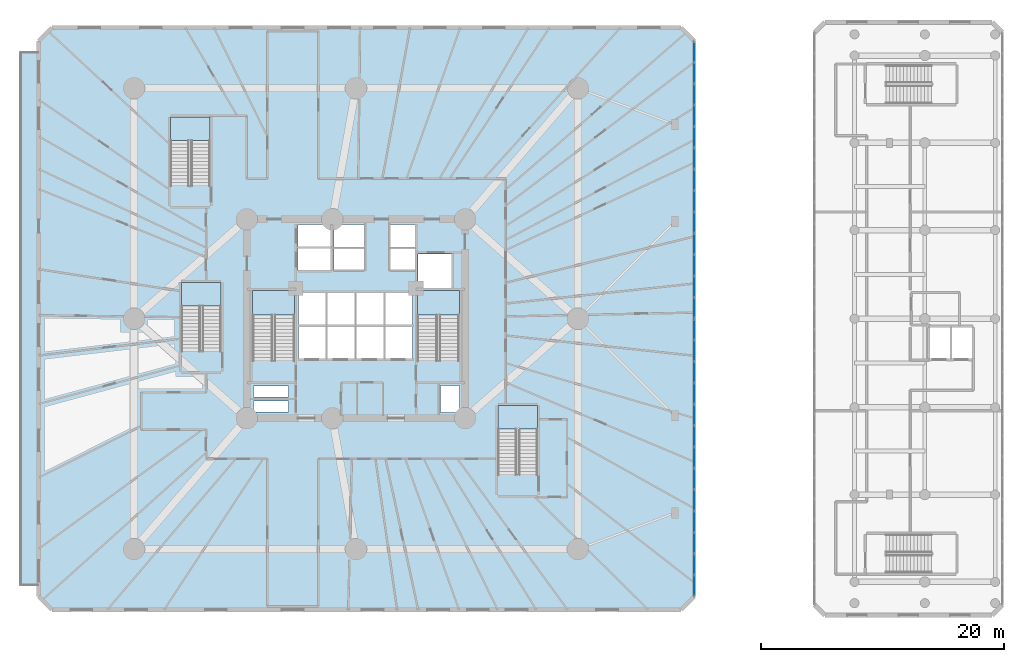
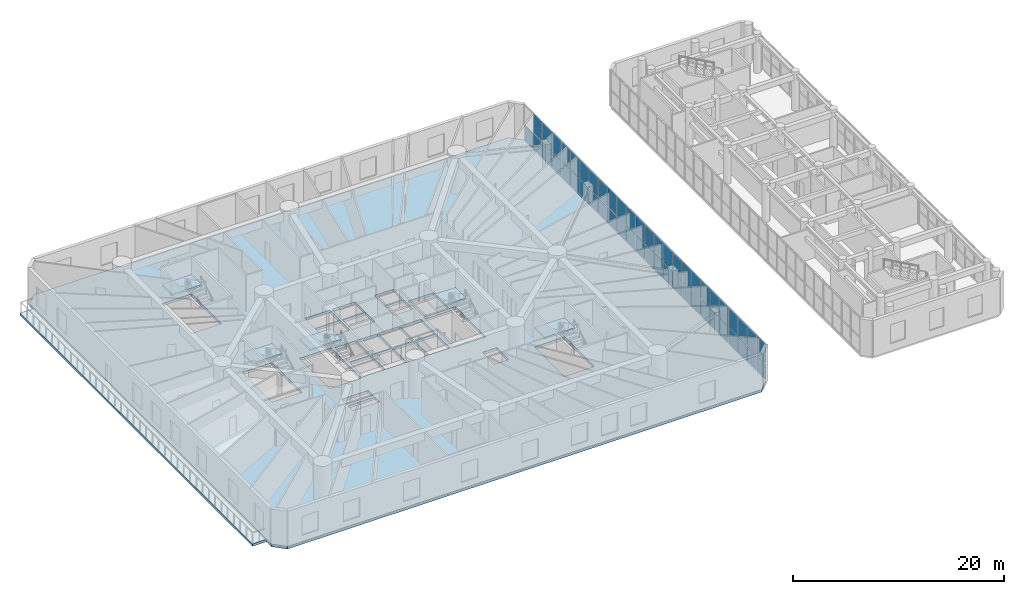
# One storey, part 10 of 26: 51 plates, 7 slabs, 7 elements without a shape of their own.
"""IFC4 building model written with IfcOpenShell, lengths in metres."""

from ifc_helpers import new_model, si_unit, direction, frame, origin, origin_with_axes, origin_2d, place, context, subcontext, project, spatial, polyline, rectangle, outline, extrude, source, transform, mapped, material, layer, layer_set, type_object, element, aggregate, save


model = new_model("IFC4")

# Units and contexts
model_context = context("Model", 3, precision=1e-05, world=origin(), true_north=direction((0.0, 1.0)))
body_context = subcontext(model_context, "Body", "Model", "MODEL_VIEW")
ifc_project = project(units=[si_unit("LENGTHUNIT", "METRE"), si_unit("AREAUNIT", "SQUARE_METRE"), si_unit("VOLUMEUNIT", "CUBIC_METRE"), si_unit("PLANEANGLEUNIT", "RADIAN"), si_unit("MASSUNIT", "GRAM", prefix="KILO")], contexts=[model_context])

# Site, building, storey
site_placement = place(None, origin())
site = spatial("IfcSite", under=ifc_project, at=site_placement, CompositionType="ELEMENT")
building_placement = place(site_placement, origin())
building = spatial("IfcBuilding", under=site, at=building_placement, Name="Karkom Vertical University and Central Library", CompositionType="ELEMENT")
storey_placement = place(building_placement, frame((0.0, 0.0, 4.5)))
storey = spatial("IfcBuildingStorey", under=building, at=storey_placement, Name="L01", CompositionType="ELEMENT", Elevation=4.5)

# Stair, slab
ifc_material_1 = material(Name="Concrete C45/55", Category="concrete")
stair_type_1 = type_object("IfcStairType", Name="INT-STR-ST-MAIN", PredefinedType="HALF_TURN_STAIR", material=ifc_material_1)
stair_1_placement = place(storey_placement, origin())
stair_1 = element("IfcStair", 1, at=stair_1_placement, inside=storey, type_object=stair_type_1, Name="Level 01 Tower Protected Exit Stair ST-1", PredefinedType="HALF_TURN_STAIR")
ifc_layer_1 = layer(ifc_material_1, 0.199951171875)
ifc_layer_set_1 = layer_set([ifc_layer_1], Name="Concrete C45/55")
slab_type_1 = type_object("IfcSlabType", Name="INT-SLB-LANDING", PredefinedType="LANDING", material=ifc_layer_set_1)
slab_1_placement = place(storey_placement, frame((0.0, 0.0, 2.050048828125)))
slab_1 = element("IfcSlab", 2, at=slab_1_placement, type_object=slab_type_1, Name="ST-1 landing 1", PredefinedType="LANDING", context=body_context, shape_type="SweptSolid", body=[
    extrude(outline(polyline([(23.43994140625, 26.7900390625), (23.43994140625, 28.820068359375), (19.97998046875, 28.820068359375), (19.97998046875, 26.7900390625), (23.43994140625, 26.7900390625)])), origin(), (0.0, 0.0, 1.0), 0.199951171875),
])
aggregate(stair_1, [slab_1])

stair_2_placement = place(storey_placement, origin())
stair_2 = element("IfcStair", 3, at=stair_2_placement, inside=storey, type_object=stair_type_1, Name="Level 01 Tower Protected Exit Stair ST-2", PredefinedType="HALF_TURN_STAIR")
slab_2_placement = place(storey_placement, frame((0.0, 0.0, 2.050048828125)))
slab_2 = element("IfcSlab", 4, at=slab_2_placement, type_object=slab_type_1, Name="ST-2 landing 1", PredefinedType="LANDING", context=body_context, shape_type="SweptSolid", body=[
    extrude(outline(polyline([(37.02001953125, 26.7900390625), (37.02001953125, 28.820068359375), (33.56005859375, 28.820068359375), (33.56005859375, 26.7900390625), (37.02001953125, 26.7900390625)])), origin(), (0.0, 0.0, 1.0), 0.199951171875),
])
aggregate(stair_2, [slab_2])

stair_type_2 = type_object("IfcStairType", Name="INT-STR-ST-SEC", PredefinedType="HALF_TURN_STAIR", material=ifc_material_1)
stair_3_placement = place(storey_placement, origin())
stair_3 = element("IfcStair", 5, at=stair_3_placement, inside=storey, type_object=stair_type_2, Name="Level 01 Academic Zone Protected Exit Stair ST-3", PredefinedType="HALF_TURN_STAIR")
slab_3_placement = place(storey_placement, frame((0.0, 0.0, 2.050048828125)))
slab_3 = element("IfcSlab", 6, at=slab_3_placement, type_object=slab_type_1, Name="ST-3 landing 1", PredefinedType="LANDING", context=body_context, shape_type="SweptSolid", body=[
    extrude(outline(polyline([(17.3798828125, 27.570068359375), (17.3798828125, 29.5), (14.1201171875, 29.5), (14.1201171875, 27.570068359375), (17.3798828125, 27.570068359375)])), origin(), (0.0, 0.0, 1.0), 0.199951171875),
])
aggregate(stair_3, [slab_3])

stair_4_placement = place(storey_placement, origin())
stair_4 = element("IfcStair", 7, at=stair_4_placement, inside=storey, type_object=stair_type_2, Name="Level 01 Podium Terraced Feature Stair POD-ST1", PredefinedType="HALF_TURN_STAIR")
slab_4_placement = place(storey_placement, frame((0.0, 0.0, 2.050048828125)))
slab_4 = element("IfcSlab", 8, at=slab_4_placement, type_object=slab_type_1, Name="POD-ST1 landing 1", PredefinedType="LANDING", context=body_context, shape_type="SweptSolid", body=[
    extrude(outline(polyline([(43.4599609375, 17.39990234375), (43.4599609375, 19.330078125), (40.199951171875, 19.330078125), (40.199951171875, 17.39990234375), (43.4599609375, 17.39990234375)])), origin(), (0.0, 0.0, 1.0), 0.199951171875),
])
aggregate(stair_4, [slab_4])

stair_5_placement = place(storey_placement, origin())
stair_5 = element("IfcStair", 9, at=stair_5_placement, inside=storey, type_object=stair_type_2, Name="Level 01 Podium Gallery Stair POD-ST2", PredefinedType="HALF_TURN_STAIR")
slab_5_placement = place(storey_placement, frame((0.0, 0.0, 2.050048828125)))
slab_5 = element("IfcSlab", 10, at=slab_5_placement, type_object=slab_type_1, Name="POD-ST2 landing 1", PredefinedType="LANDING", context=body_context, shape_type="SweptSolid", body=[
    extrude(outline(polyline([(16.4599609375, 41.199951171875), (16.4599609375, 43.1298828125), (13.199951171875, 43.1298828125), (13.199951171875, 41.199951171875), (16.4599609375, 41.199951171875)])), origin(), (0.0, 0.0, 1.0), 0.199951171875),
])
aggregate(stair_5, [slab_5])

# Slabs
ifc_layer_2 = layer(ifc_material_1, 0.300048828125)
ifc_layer_set_2 = layer_set([ifc_layer_2], Name="Concrete C45/55")
slab_type_2 = type_object("IfcSlabType", Name="STR-SLB-FLR-300", PredefinedType="FLOOR", material=ifc_layer_set_2)
slab_6_placement = place(storey_placement, frame((0.0, 0.0, -0.300048828125)))
element("IfcSlab", 11, at=slab_6_placement, inside=storey, type_object=slab_type_2, Name="Level 01 Tower Podium Floor Slab", PredefinedType="FLOOR", context=body_context, shape_type="SweptSolid", body=[
    extrude(outline(polyline([(3.449951171875, 2.5), (55.300048828125, 2.5), (56.39990234375, 3.60009765625), (56.39990234375, 49.39990234375), (55.300048828125, 50.5), (3.449951171875, 50.5), (2.35009765625, 49.39990234375), (2.35009765625, 3.60009765625), (3.449951171875, 2.5)]), holes=[polyline([(19.97998046875, 23.0849609375), (23.43994140625, 23.0849609375), (23.43994140625, 28.820068359375), (19.97998046875, 28.820068359375), (19.97998046875, 23.0849609375)]), polyline([(33.56005859375, 23.0849609375), (37.02001953125, 23.0849609375), (37.02001953125, 28.820068359375), (33.56005859375, 28.820068359375), (33.56005859375, 23.0849609375)]), polyline([(14.1201171875, 23.864990234375), (17.3798828125, 23.864990234375), (17.3798828125, 29.5), (14.1201171875, 29.5), (14.1201171875, 23.864990234375)]), polyline([(40.199951171875, 13.695068359375), (43.4599609375, 13.695068359375), (43.4599609375, 19.330078125), (40.199951171875, 19.330078125), (40.199951171875, 13.695068359375)]), polyline([(13.199951171875, 37.4951171875), (16.4599609375, 37.4951171875), (16.4599609375, 43.1298828125), (13.199951171875, 43.1298828125), (13.199951171875, 37.4951171875)]), polyline([(23.75, 23.199951171875), (26.030029296875, 23.199951171875), (26.030029296875, 25.85009765625), (23.75, 25.85009765625), (23.75, 23.199951171875)]), polyline([(26.1298828125, 23.199951171875), (28.409912109375, 23.199951171875), (28.409912109375, 25.85009765625), (26.1298828125, 25.85009765625), (26.1298828125, 23.199951171875)]), polyline([(28.510009765625, 23.199951171875), (30.7900390625, 23.199951171875), (30.7900390625, 25.85009765625), (28.510009765625, 25.85009765625), (28.510009765625, 23.199951171875)]), polyline([(30.889892578125, 23.199951171875), (33.169921875, 23.199951171875), (33.169921875, 25.85009765625), (30.889892578125, 25.85009765625), (30.889892578125, 23.199951171875)]), polyline([(23.75, 26.0), (26.030029296875, 26.0), (26.030029296875, 28.64990234375), (23.75, 28.64990234375), (23.75, 26.0)]), polyline([(26.1298828125, 26.0), (28.409912109375, 26.0), (28.409912109375, 28.64990234375), (26.1298828125, 28.64990234375), (26.1298828125, 26.0)]), polyline([(28.510009765625, 26.0), (30.7900390625, 26.0), (30.7900390625, 28.64990234375), (28.510009765625, 28.64990234375), (28.510009765625, 26.0)]), polyline([(30.889892578125, 26.0), (33.169921875, 26.0), (33.169921875, 28.64990234375), (30.889892578125, 28.64990234375), (30.889892578125, 26.0)]), polyline([(26.679931640625, 30.5), (29.199951171875, 30.5), (29.199951171875, 32.25), (26.679931640625, 32.25), (26.679931640625, 30.5)]), polyline([(26.679931640625, 32.39990234375), (29.199951171875, 32.39990234375), (29.199951171875, 34.25), (26.679931640625, 34.25), (26.679931640625, 32.39990234375)]), polyline([(31.300048828125, 30.5), (33.35009765625, 30.5), (33.35009765625, 32.25), (31.300048828125, 32.25), (31.300048828125, 30.5)]), polyline([(31.300048828125, 32.39990234375), (33.35009765625, 32.39990234375), (33.35009765625, 34.25), (31.300048828125, 34.25), (31.300048828125, 32.39990234375)]), polyline([(23.719970703125, 30.47998046875), (26.429931640625, 30.47998046875), (26.429931640625, 32.320068359375), (23.719970703125, 32.320068359375), (23.719970703125, 30.47998046875)]), polyline([(23.719970703125, 32.419921875), (26.429931640625, 32.419921875), (26.429931640625, 34.260009765625), (23.719970703125, 34.260009765625), (23.719970703125, 32.419921875)]), polyline([(33.60009765625, 29.050048828125), (36.39990234375, 29.050048828125), (36.39990234375, 31.85009765625), (33.60009765625, 31.85009765625), (33.60009765625, 29.050048828125)]), polyline([(20.050048828125, 18.820068359375), (22.949951171875, 18.820068359375), (22.949951171875, 19.719970703125), (20.050048828125, 19.719970703125), (20.050048828125, 18.820068359375)]), polyline([(20.050048828125, 20.06005859375), (22.949951171875, 20.06005859375), (22.949951171875, 20.9599609375), (20.050048828125, 20.9599609375), (20.050048828125, 20.06005859375)]), polyline([(35.4599609375, 18.760009765625), (37.0400390625, 18.760009765625), (37.0400390625, 21.010009765625), (35.4599609375, 21.010009765625), (35.4599609375, 18.760009765625)])]), origin(), (0.0, 0.0, 1.0), 0.300048828125),
])
ifc_layer_3 = layer(ifc_material_1, 0.199951171875)
ifc_layer_set_3 = layer_set([ifc_layer_3], Name="Concrete C45/55")
slab_type_3 = type_object("IfcSlabType", Name="STR-SLB-PLN-260", PredefinedType="USERDEFINED", material=ifc_layer_set_3)
slab_7_placement = place(storey_placement, frame((0.0, 0.0, -0.260009765625)))
element("IfcSlab", 12, at=slab_7_placement, inside=storey, type_object=slab_type_3, Name="Level 01 Terraced Podium Planted Roof Garden Planter", ObjectType="PLANTER", PredefinedType="USERDEFINED", context=body_context, shape_type="SweptSolid", body=[
    extrude(outline(polyline([(0.800048828125, 4.5), (2.35009765625, 4.5), (2.35009765625, 48.5), (0.800048828125, 48.5), (0.800048828125, 4.5)])), origin(), (0.0, 0.0, 1.0), 0.260009765625),
])

# Curtain wall, plates
ifc_material_2 = material(Name="Aluminium curtain-wall framing and low-E IGU", Category="aluminium")
ifc_layer_4 = layer(ifc_material_2, 0.199951171875)
ifc_layer_set_4 = layer_set([ifc_layer_4], Name="Aluminium curtain-wall framing and low-E IGU")
curtain_wall_type = type_object("IfcCurtainWallType", Name="ENV-CW-3", PredefinedType="USERDEFINED", material=ifc_layer_set_4)
curtain_wall_1_placement = place(storey_placement, origin())
curtain_wall_1 = element("IfcCurtainWall", 13, at=curtain_wall_1_placement, inside=storey, type_object=curtain_wall_type, Name="Level 01 CW-3 Curtain Wall Level 01-CW3-3-1", ObjectType="STICK MULLION GLAZING", PredefinedType="USERDEFINED")
ifc_material_3 = material(Name="Solar-control low-E double glazing 32mm", Category="glass")
ifc_layer_5 = layer(ifc_material_3, 0.031982421875)
ifc_layer_set_5 = layer_set([ifc_layer_5], Name="Solar-control low-E double glazing 32mm")
plate_type = type_object("IfcPlateType", Name="ENV-PLT-GLZ-32", PredefinedType="CURTAIN_PANEL", material=ifc_layer_set_5)
shared_shape_1 = source(origin_with_axes(), body_context, "Body", "SweptSolid", [
    extrude(rectangle(XDim=1.64892578125, YDim=0.031982421875, at=origin_2d()), origin(), (0.0, 0.0, 1.0), 1.777587890625),
])
plate_1_placement = place(storey_placement, frame((56.39990234375, 4.49951171875, 0.0751953125), z_axis=(0.0, 0.0, 1.0), x_axis=(0.0, 1.0, 0.0)))
plate_1 = element("IfcPlate", 14, at=plate_1_placement, type_object=plate_type, Name="CW-3 panel 1.1", PredefinedType="CURTAIN_PANEL", context=body_context, shape_type="MappedRepresentation", body=[
    mapped(shared_shape_1, transform((0.0, 0.0, 0.0), scale=1.0)),
])
plate_2_placement = place(storey_placement, frame((56.39990234375, 25.6005859375, 0.0751953125), z_axis=(0.0, 0.0, 1.0), x_axis=(0.0, 1.0, 0.0)))
plate_2 = element("IfcPlate", 15, at=plate_2_placement, type_object=plate_type, Name="CW-3 panel 13.1", PredefinedType="CURTAIN_PANEL", context=body_context, shape_type="MappedRepresentation", body=[
    mapped(shared_shape_1, transform((0.0, 0.0, 0.0), scale=1.0)),
])

curtain_wall_2_placement = place(storey_placement, origin())
curtain_wall_2 = element("IfcCurtainWall", 16, at=curtain_wall_2_placement, inside=storey, type_object=curtain_wall_type, Name="Level 01 CW-3 Curtain Wall Level 01-CW3-3-2", ObjectType="STICK MULLION GLAZING", PredefinedType="USERDEFINED")
plate_3_placement = place(storey_placement, frame((56.39990234375, 27.3994140625, 0.0751953125), z_axis=(0.0, 0.0, 1.0), x_axis=(0.0, 1.0, 0.0)))
plate_3 = element("IfcPlate", 17, at=plate_3_placement, type_object=plate_type, Name="CW-3 panel 1.1", PredefinedType="CURTAIN_PANEL", context=body_context, shape_type="MappedRepresentation", body=[
    mapped(shared_shape_1, transform((0.0, 0.0, 0.0), scale=1.0)),
])
plate_4_placement = place(storey_placement, frame((56.39990234375, 48.50048828125, 0.0751953125), z_axis=(0.0, 0.0, 1.0), x_axis=(0.0, 1.0, 0.0)))
plate_4 = element("IfcPlate", 18, at=plate_4_placement, type_object=plate_type, Name="CW-3 panel 13.1", PredefinedType="CURTAIN_PANEL", context=body_context, shape_type="MappedRepresentation", body=[
    mapped(shared_shape_1, transform((0.0, 0.0, 0.0), scale=1.0)),
])

# Plate
shared_shape_2 = source(origin_with_axes(), body_context, "Body", "SweptSolid", [
    extrude(rectangle(XDim=1.64892578125, YDim=0.031982421875, at=origin_2d()), origin(), (0.0, 0.0, 1.0), 2.197509765625),
])
plate_5_placement = place(storey_placement, frame((56.39990234375, 4.49951171875, 1.927734375), z_axis=(0.0, 0.0, 1.0), x_axis=(0.0, 1.0, 0.0)))
plate_5 = element("IfcPlate", 19, at=plate_5_placement, type_object=plate_type, Name="CW-3 panel 1.2", PredefinedType="CURTAIN_PANEL", context=body_context, shape_type="MappedRepresentation", body=[
    mapped(shared_shape_2, transform((0.0, 0.0, 0.0), scale=1.0)),
])

plate_6_placement = place(storey_placement, frame((56.39990234375, 25.6005859375, 1.927734375), z_axis=(0.0, 0.0, 1.0), x_axis=(0.0, 1.0, 0.0)))
plate_6 = element("IfcPlate", 20, at=plate_6_placement, type_object=plate_type, Name="CW-3 panel 13.2", PredefinedType="CURTAIN_PANEL", context=body_context, shape_type="MappedRepresentation", body=[
    mapped(shared_shape_2, transform((0.0, 0.0, 0.0), scale=1.0)),
])

plate_7_placement = place(storey_placement, frame((56.39990234375, 27.3994140625, 1.927734375), z_axis=(0.0, 0.0, 1.0), x_axis=(0.0, 1.0, 0.0)))
plate_7 = element("IfcPlate", 21, at=plate_7_placement, type_object=plate_type, Name="CW-3 panel 1.2", PredefinedType="CURTAIN_PANEL", context=body_context, shape_type="MappedRepresentation", body=[
    mapped(shared_shape_2, transform((0.0, 0.0, 0.0), scale=1.0)),
])

shared_shape_3 = source(origin_with_axes(), body_context, "Body", "SweptSolid", [
    extrude(rectangle(XDim=1.6865234375, YDim=0.031982421875, at=origin_2d()), origin(), (0.0, 0.0, 1.0), 1.777587890625),
])
plate_8_placement = place(storey_placement, frame((56.39990234375, 6.2421875, 0.0751953125), z_axis=(0.0, 0.0, 1.0), x_axis=(0.0, 1.0, 0.0)))
plate_8 = element("IfcPlate", 22, at=plate_8_placement, type_object=plate_type, Name="CW-3 panel 2.1", PredefinedType="CURTAIN_PANEL", context=body_context, shape_type="MappedRepresentation", body=[
    mapped(shared_shape_3, transform((0.0, 0.0, 0.0), scale=1.0)),
])

plate_9_placement = place(storey_placement, frame((56.39990234375, 8.00390625, 0.0751953125), z_axis=(0.0, 0.0, 1.0), x_axis=(0.0, 1.0, 0.0)))
plate_9 = element("IfcPlate", 23, at=plate_9_placement, type_object=plate_type, Name="CW-3 panel 3.1", PredefinedType="CURTAIN_PANEL", context=body_context, shape_type="MappedRepresentation", body=[
    mapped(shared_shape_3, transform((0.0, 0.0, 0.0), scale=1.0)),
])

plate_10_placement = place(storey_placement, frame((56.39990234375, 9.765380859375, 0.0751953125), z_axis=(0.0, 0.0, 1.0), x_axis=(0.0, 1.0, 0.0)))
plate_10 = element("IfcPlate", 24, at=plate_10_placement, type_object=plate_type, Name="CW-3 panel 4.1", PredefinedType="CURTAIN_PANEL", context=body_context, shape_type="MappedRepresentation", body=[
    mapped(shared_shape_3, transform((0.0, 0.0, 0.0), scale=1.0)),
])

plate_11_placement = place(storey_placement, frame((56.39990234375, 11.52685546875, 0.0751953125), z_axis=(0.0, 0.0, 1.0), x_axis=(0.0, 1.0, 0.0)))
plate_11 = element("IfcPlate", 25, at=plate_11_placement, type_object=plate_type, Name="CW-3 panel 5.1", PredefinedType="CURTAIN_PANEL", context=body_context, shape_type="MappedRepresentation", body=[
    mapped(shared_shape_3, transform((0.0, 0.0, 0.0), scale=1.0)),
])

plate_12_placement = place(storey_placement, frame((56.39990234375, 13.28857421875, 0.0751953125), z_axis=(0.0, 0.0, 1.0), x_axis=(0.0, 1.0, 0.0)))
plate_12 = element("IfcPlate", 26, at=plate_12_placement, type_object=plate_type, Name="CW-3 panel 6.1", PredefinedType="CURTAIN_PANEL", context=body_context, shape_type="MappedRepresentation", body=[
    mapped(shared_shape_3, transform((0.0, 0.0, 0.0), scale=1.0)),
])

plate_13_placement = place(storey_placement, frame((56.39990234375, 15.050048828125, 0.0751953125), z_axis=(0.0, 0.0, 1.0), x_axis=(0.0, 1.0, 0.0)))
plate_13 = element("IfcPlate", 27, at=plate_13_placement, type_object=plate_type, Name="CW-3 panel 7.1", PredefinedType="CURTAIN_PANEL", context=body_context, shape_type="MappedRepresentation", body=[
    mapped(shared_shape_3, transform((0.0, 0.0, 0.0), scale=1.0)),
])

plate_14_placement = place(storey_placement, frame((56.39990234375, 16.8115234375, 0.0751953125), z_axis=(0.0, 0.0, 1.0), x_axis=(0.0, 1.0, 0.0)))
plate_14 = element("IfcPlate", 28, at=plate_14_placement, type_object=plate_type, Name="CW-3 panel 8.1", PredefinedType="CURTAIN_PANEL", context=body_context, shape_type="MappedRepresentation", body=[
    mapped(shared_shape_3, transform((0.0, 0.0, 0.0), scale=1.0)),
])

plate_15_placement = place(storey_placement, frame((56.39990234375, 18.572998046875, 0.0751953125), z_axis=(0.0, 0.0, 1.0), x_axis=(0.0, 1.0, 0.0)))
plate_15 = element("IfcPlate", 29, at=plate_15_placement, type_object=plate_type, Name="CW-3 panel 9.1", PredefinedType="CURTAIN_PANEL", context=body_context, shape_type="MappedRepresentation", body=[
    mapped(shared_shape_3, transform((0.0, 0.0, 0.0), scale=1.0)),
])

plate_16_placement = place(storey_placement, frame((56.39990234375, 20.334716796875, 0.0751953125), z_axis=(0.0, 0.0, 1.0), x_axis=(0.0, 1.0, 0.0)))
plate_16 = element("IfcPlate", 30, at=plate_16_placement, type_object=plate_type, Name="CW-3 panel 10.1", PredefinedType="CURTAIN_PANEL", context=body_context, shape_type="MappedRepresentation", body=[
    mapped(shared_shape_3, transform((0.0, 0.0, 0.0), scale=1.0)),
])

plate_17_placement = place(storey_placement, frame((56.39990234375, 22.09619140625, 0.0751953125), z_axis=(0.0, 0.0, 1.0), x_axis=(0.0, 1.0, 0.0)))
plate_17 = element("IfcPlate", 31, at=plate_17_placement, type_object=plate_type, Name="CW-3 panel 11.1", PredefinedType="CURTAIN_PANEL", context=body_context, shape_type="MappedRepresentation", body=[
    mapped(shared_shape_3, transform((0.0, 0.0, 0.0), scale=1.0)),
])

plate_18_placement = place(storey_placement, frame((56.39990234375, 23.857666015625, 0.0751953125), z_axis=(0.0, 0.0, 1.0), x_axis=(0.0, 1.0, 0.0)))
plate_18 = element("IfcPlate", 32, at=plate_18_placement, type_object=plate_type, Name="CW-3 panel 12.1", PredefinedType="CURTAIN_PANEL", context=body_context, shape_type="MappedRepresentation", body=[
    mapped(shared_shape_3, transform((0.0, 0.0, 0.0), scale=1.0)),
])

plate_19_placement = place(storey_placement, frame((56.39990234375, 29.142333984375, 0.0751953125), z_axis=(0.0, 0.0, 1.0), x_axis=(0.0, 1.0, 0.0)))
plate_19 = element("IfcPlate", 33, at=plate_19_placement, type_object=plate_type, Name="CW-3 panel 2.1", PredefinedType="CURTAIN_PANEL", context=body_context, shape_type="MappedRepresentation", body=[
    mapped(shared_shape_3, transform((0.0, 0.0, 0.0), scale=1.0)),
])

plate_20_placement = place(storey_placement, frame((56.39990234375, 30.90380859375, 0.0751953125), z_axis=(0.0, 0.0, 1.0), x_axis=(0.0, 1.0, 0.0)))
plate_20 = element("IfcPlate", 34, at=plate_20_placement, type_object=plate_type, Name="CW-3 panel 3.1", PredefinedType="CURTAIN_PANEL", context=body_context, shape_type="MappedRepresentation", body=[
    mapped(shared_shape_3, transform((0.0, 0.0, 0.0), scale=1.0)),
])

plate_21_placement = place(storey_placement, frame((56.39990234375, 32.665283203125, 0.0751953125), z_axis=(0.0, 0.0, 1.0), x_axis=(0.0, 1.0, 0.0)))
plate_21 = element("IfcPlate", 35, at=plate_21_placement, type_object=plate_type, Name="CW-3 panel 4.1", PredefinedType="CURTAIN_PANEL", context=body_context, shape_type="MappedRepresentation", body=[
    mapped(shared_shape_3, transform((0.0, 0.0, 0.0), scale=1.0)),
])

plate_22_placement = place(storey_placement, frame((56.39990234375, 34.427001953125, 0.0751953125), z_axis=(0.0, 0.0, 1.0), x_axis=(0.0, 1.0, 0.0)))
plate_22 = element("IfcPlate", 36, at=plate_22_placement, type_object=plate_type, Name="CW-3 panel 5.1", PredefinedType="CURTAIN_PANEL", context=body_context, shape_type="MappedRepresentation", body=[
    mapped(shared_shape_3, transform((0.0, 0.0, 0.0), scale=1.0)),
])

plate_23_placement = place(storey_placement, frame((56.39990234375, 36.1884765625, 0.0751953125), z_axis=(0.0, 0.0, 1.0), x_axis=(0.0, 1.0, 0.0)))
plate_23 = element("IfcPlate", 37, at=plate_23_placement, type_object=plate_type, Name="CW-3 panel 6.1", PredefinedType="CURTAIN_PANEL", context=body_context, shape_type="MappedRepresentation", body=[
    mapped(shared_shape_3, transform((0.0, 0.0, 0.0), scale=1.0)),
])

plate_24_placement = place(storey_placement, frame((56.39990234375, 37.949951171875, 0.0751953125), z_axis=(0.0, 0.0, 1.0), x_axis=(0.0, 1.0, 0.0)))
plate_24 = element("IfcPlate", 38, at=plate_24_placement, type_object=plate_type, Name="CW-3 panel 7.1", PredefinedType="CURTAIN_PANEL", context=body_context, shape_type="MappedRepresentation", body=[
    mapped(shared_shape_3, transform((0.0, 0.0, 0.0), scale=1.0)),
])

plate_25_placement = place(storey_placement, frame((56.39990234375, 39.71142578125, 0.0751953125), z_axis=(0.0, 0.0, 1.0), x_axis=(0.0, 1.0, 0.0)))
plate_25 = element("IfcPlate", 39, at=plate_25_placement, type_object=plate_type, Name="CW-3 panel 8.1", PredefinedType="CURTAIN_PANEL", context=body_context, shape_type="MappedRepresentation", body=[
    mapped(shared_shape_3, transform((0.0, 0.0, 0.0), scale=1.0)),
])

plate_26_placement = place(storey_placement, frame((56.39990234375, 41.47314453125, 0.0751953125), z_axis=(0.0, 0.0, 1.0), x_axis=(0.0, 1.0, 0.0)))
plate_26 = element("IfcPlate", 40, at=plate_26_placement, type_object=plate_type, Name="CW-3 panel 9.1", PredefinedType="CURTAIN_PANEL", context=body_context, shape_type="MappedRepresentation", body=[
    mapped(shared_shape_3, transform((0.0, 0.0, 0.0), scale=1.0)),
])

plate_27_placement = place(storey_placement, frame((56.39990234375, 43.234619140625, 0.0751953125), z_axis=(0.0, 0.0, 1.0), x_axis=(0.0, 1.0, 0.0)))
plate_27 = element("IfcPlate", 41, at=plate_27_placement, type_object=plate_type, Name="CW-3 panel 10.1", PredefinedType="CURTAIN_PANEL", context=body_context, shape_type="MappedRepresentation", body=[
    mapped(shared_shape_3, transform((0.0, 0.0, 0.0), scale=1.0)),
])

plate_28_placement = place(storey_placement, frame((56.39990234375, 44.99609375, 0.0751953125), z_axis=(0.0, 0.0, 1.0), x_axis=(0.0, 1.0, 0.0)))
plate_28 = element("IfcPlate", 42, at=plate_28_placement, type_object=plate_type, Name="CW-3 panel 11.1", PredefinedType="CURTAIN_PANEL", context=body_context, shape_type="MappedRepresentation", body=[
    mapped(shared_shape_3, transform((0.0, 0.0, 0.0), scale=1.0)),
])

plate_29_placement = place(storey_placement, frame((56.39990234375, 46.7578125, 0.0751953125), z_axis=(0.0, 0.0, 1.0), x_axis=(0.0, 1.0, 0.0)))
plate_29 = element("IfcPlate", 43, at=plate_29_placement, type_object=plate_type, Name="CW-3 panel 12.1", PredefinedType="CURTAIN_PANEL", context=body_context, shape_type="MappedRepresentation", body=[
    mapped(shared_shape_3, transform((0.0, 0.0, 0.0), scale=1.0)),
])

shared_shape_4 = source(origin_with_axes(), body_context, "Body", "SweptSolid", [
    extrude(rectangle(XDim=1.6865234375, YDim=0.031982421875, at=origin_2d()), origin(), (0.0, 0.0, 1.0), 2.197509765625),
])
plate_30_placement = place(storey_placement, frame((56.39990234375, 6.2421875, 1.927734375), z_axis=(0.0, 0.0, 1.0), x_axis=(0.0, 1.0, 0.0)))
plate_30 = element("IfcPlate", 44, at=plate_30_placement, type_object=plate_type, Name="CW-3 panel 2.2", PredefinedType="CURTAIN_PANEL", context=body_context, shape_type="MappedRepresentation", body=[
    mapped(shared_shape_4, transform((0.0, 0.0, 0.0), scale=1.0)),
])

plate_31_placement = place(storey_placement, frame((56.39990234375, 8.00390625, 1.927734375), z_axis=(0.0, 0.0, 1.0), x_axis=(0.0, 1.0, 0.0)))
plate_31 = element("IfcPlate", 45, at=plate_31_placement, type_object=plate_type, Name="CW-3 panel 3.2", PredefinedType="CURTAIN_PANEL", context=body_context, shape_type="MappedRepresentation", body=[
    mapped(shared_shape_4, transform((0.0, 0.0, 0.0), scale=1.0)),
])

plate_32_placement = place(storey_placement, frame((56.39990234375, 9.765380859375, 1.927734375), z_axis=(0.0, 0.0, 1.0), x_axis=(0.0, 1.0, 0.0)))
plate_32 = element("IfcPlate", 46, at=plate_32_placement, type_object=plate_type, Name="CW-3 panel 4.2", PredefinedType="CURTAIN_PANEL", context=body_context, shape_type="MappedRepresentation", body=[
    mapped(shared_shape_4, transform((0.0, 0.0, 0.0), scale=1.0)),
])

plate_33_placement = place(storey_placement, frame((56.39990234375, 11.52685546875, 1.927734375), z_axis=(0.0, 0.0, 1.0), x_axis=(0.0, 1.0, 0.0)))
plate_33 = element("IfcPlate", 47, at=plate_33_placement, type_object=plate_type, Name="CW-3 panel 5.2", PredefinedType="CURTAIN_PANEL", context=body_context, shape_type="MappedRepresentation", body=[
    mapped(shared_shape_4, transform((0.0, 0.0, 0.0), scale=1.0)),
])

plate_34_placement = place(storey_placement, frame((56.39990234375, 13.28857421875, 1.927734375), z_axis=(0.0, 0.0, 1.0), x_axis=(0.0, 1.0, 0.0)))
plate_34 = element("IfcPlate", 48, at=plate_34_placement, type_object=plate_type, Name="CW-3 panel 6.2", PredefinedType="CURTAIN_PANEL", context=body_context, shape_type="MappedRepresentation", body=[
    mapped(shared_shape_4, transform((0.0, 0.0, 0.0), scale=1.0)),
])

plate_35_placement = place(storey_placement, frame((56.39990234375, 15.050048828125, 1.927734375), z_axis=(0.0, 0.0, 1.0), x_axis=(0.0, 1.0, 0.0)))
plate_35 = element("IfcPlate", 49, at=plate_35_placement, type_object=plate_type, Name="CW-3 panel 7.2", PredefinedType="CURTAIN_PANEL", context=body_context, shape_type="MappedRepresentation", body=[
    mapped(shared_shape_4, transform((0.0, 0.0, 0.0), scale=1.0)),
])

plate_36_placement = place(storey_placement, frame((56.39990234375, 16.8115234375, 1.927734375), z_axis=(0.0, 0.0, 1.0), x_axis=(0.0, 1.0, 0.0)))
plate_36 = element("IfcPlate", 50, at=plate_36_placement, type_object=plate_type, Name="CW-3 panel 8.2", PredefinedType="CURTAIN_PANEL", context=body_context, shape_type="MappedRepresentation", body=[
    mapped(shared_shape_4, transform((0.0, 0.0, 0.0), scale=1.0)),
])

plate_37_placement = place(storey_placement, frame((56.39990234375, 18.572998046875, 1.927734375), z_axis=(0.0, 0.0, 1.0), x_axis=(0.0, 1.0, 0.0)))
plate_37 = element("IfcPlate", 51, at=plate_37_placement, type_object=plate_type, Name="CW-3 panel 9.2", PredefinedType="CURTAIN_PANEL", context=body_context, shape_type="MappedRepresentation", body=[
    mapped(shared_shape_4, transform((0.0, 0.0, 0.0), scale=1.0)),
])

plate_38_placement = place(storey_placement, frame((56.39990234375, 20.334716796875, 1.927734375), z_axis=(0.0, 0.0, 1.0), x_axis=(0.0, 1.0, 0.0)))
plate_38 = element("IfcPlate", 52, at=plate_38_placement, type_object=plate_type, Name="CW-3 panel 10.2", PredefinedType="CURTAIN_PANEL", context=body_context, shape_type="MappedRepresentation", body=[
    mapped(shared_shape_4, transform((0.0, 0.0, 0.0), scale=1.0)),
])

plate_39_placement = place(storey_placement, frame((56.39990234375, 22.09619140625, 1.927734375), z_axis=(0.0, 0.0, 1.0), x_axis=(0.0, 1.0, 0.0)))
plate_39 = element("IfcPlate", 53, at=plate_39_placement, type_object=plate_type, Name="CW-3 panel 11.2", PredefinedType="CURTAIN_PANEL", context=body_context, shape_type="MappedRepresentation", body=[
    mapped(shared_shape_4, transform((0.0, 0.0, 0.0), scale=1.0)),
])

plate_40_placement = place(storey_placement, frame((56.39990234375, 23.857666015625, 1.927734375), z_axis=(0.0, 0.0, 1.0), x_axis=(0.0, 1.0, 0.0)))
plate_40 = element("IfcPlate", 54, at=plate_40_placement, type_object=plate_type, Name="CW-3 panel 12.2", PredefinedType="CURTAIN_PANEL", context=body_context, shape_type="MappedRepresentation", body=[
    mapped(shared_shape_4, transform((0.0, 0.0, 0.0), scale=1.0)),
])

aggregate(curtain_wall_1, [plate_1, plate_5, plate_8, plate_30, plate_9, plate_31, plate_10, plate_32, plate_11, plate_33, plate_12, plate_34, plate_13, plate_35, plate_14, plate_36, plate_15, plate_37, plate_16, plate_38, plate_17, plate_39, plate_18, plate_40, plate_2, plate_6])

plate_41_placement = place(storey_placement, frame((56.39990234375, 29.142333984375, 1.927734375), z_axis=(0.0, 0.0, 1.0), x_axis=(0.0, 1.0, 0.0)))
plate_41 = element("IfcPlate", 55, at=plate_41_placement, type_object=plate_type, Name="CW-3 panel 2.2", PredefinedType="CURTAIN_PANEL", context=body_context, shape_type="MappedRepresentation", body=[
    mapped(shared_shape_4, transform((0.0, 0.0, 0.0), scale=1.0)),
])

plate_42_placement = place(storey_placement, frame((56.39990234375, 30.90380859375, 1.927734375), z_axis=(0.0, 0.0, 1.0), x_axis=(0.0, 1.0, 0.0)))
plate_42 = element("IfcPlate", 56, at=plate_42_placement, type_object=plate_type, Name="CW-3 panel 3.2", PredefinedType="CURTAIN_PANEL", context=body_context, shape_type="MappedRepresentation", body=[
    mapped(shared_shape_4, transform((0.0, 0.0, 0.0), scale=1.0)),
])

plate_43_placement = place(storey_placement, frame((56.39990234375, 32.665283203125, 1.927734375), z_axis=(0.0, 0.0, 1.0), x_axis=(0.0, 1.0, 0.0)))
plate_43 = element("IfcPlate", 57, at=plate_43_placement, type_object=plate_type, Name="CW-3 panel 4.2", PredefinedType="CURTAIN_PANEL", context=body_context, shape_type="MappedRepresentation", body=[
    mapped(shared_shape_4, transform((0.0, 0.0, 0.0), scale=1.0)),
])

plate_44_placement = place(storey_placement, frame((56.39990234375, 34.427001953125, 1.927734375), z_axis=(0.0, 0.0, 1.0), x_axis=(0.0, 1.0, 0.0)))
plate_44 = element("IfcPlate", 58, at=plate_44_placement, type_object=plate_type, Name="CW-3 panel 5.2", PredefinedType="CURTAIN_PANEL", context=body_context, shape_type="MappedRepresentation", body=[
    mapped(shared_shape_4, transform((0.0, 0.0, 0.0), scale=1.0)),
])

plate_45_placement = place(storey_placement, frame((56.39990234375, 36.1884765625, 1.927734375), z_axis=(0.0, 0.0, 1.0), x_axis=(0.0, 1.0, 0.0)))
plate_45 = element("IfcPlate", 59, at=plate_45_placement, type_object=plate_type, Name="CW-3 panel 6.2", PredefinedType="CURTAIN_PANEL", context=body_context, shape_type="MappedRepresentation", body=[
    mapped(shared_shape_4, transform((0.0, 0.0, 0.0), scale=1.0)),
])

plate_46_placement = place(storey_placement, frame((56.39990234375, 37.949951171875, 1.927734375), z_axis=(0.0, 0.0, 1.0), x_axis=(0.0, 1.0, 0.0)))
plate_46 = element("IfcPlate", 60, at=plate_46_placement, type_object=plate_type, Name="CW-3 panel 7.2", PredefinedType="CURTAIN_PANEL", context=body_context, shape_type="MappedRepresentation", body=[
    mapped(shared_shape_4, transform((0.0, 0.0, 0.0), scale=1.0)),
])

plate_47_placement = place(storey_placement, frame((56.39990234375, 39.71142578125, 1.927734375), z_axis=(0.0, 0.0, 1.0), x_axis=(0.0, 1.0, 0.0)))
plate_47 = element("IfcPlate", 61, at=plate_47_placement, type_object=plate_type, Name="CW-3 panel 8.2", PredefinedType="CURTAIN_PANEL", context=body_context, shape_type="MappedRepresentation", body=[
    mapped(shared_shape_4, transform((0.0, 0.0, 0.0), scale=1.0)),
])

plate_48_placement = place(storey_placement, frame((56.39990234375, 41.47314453125, 1.927734375), z_axis=(0.0, 0.0, 1.0), x_axis=(0.0, 1.0, 0.0)))
plate_48 = element("IfcPlate", 62, at=plate_48_placement, type_object=plate_type, Name="CW-3 panel 9.2", PredefinedType="CURTAIN_PANEL", context=body_context, shape_type="MappedRepresentation", body=[
    mapped(shared_shape_4, transform((0.0, 0.0, 0.0), scale=1.0)),
])

plate_49_placement = place(storey_placement, frame((56.39990234375, 43.234619140625, 1.927734375), z_axis=(0.0, 0.0, 1.0), x_axis=(0.0, 1.0, 0.0)))
plate_49 = element("IfcPlate", 63, at=plate_49_placement, type_object=plate_type, Name="CW-3 panel 10.2", PredefinedType="CURTAIN_PANEL", context=body_context, shape_type="MappedRepresentation", body=[
    mapped(shared_shape_4, transform((0.0, 0.0, 0.0), scale=1.0)),
])

plate_50_placement = place(storey_placement, frame((56.39990234375, 44.99609375, 1.927734375), z_axis=(0.0, 0.0, 1.0), x_axis=(0.0, 1.0, 0.0)))
plate_50 = element("IfcPlate", 64, at=plate_50_placement, type_object=plate_type, Name="CW-3 panel 11.2", PredefinedType="CURTAIN_PANEL", context=body_context, shape_type="MappedRepresentation", body=[
    mapped(shared_shape_4, transform((0.0, 0.0, 0.0), scale=1.0)),
])

plate_51_placement = place(storey_placement, frame((56.39990234375, 46.7578125, 1.927734375), z_axis=(0.0, 0.0, 1.0), x_axis=(0.0, 1.0, 0.0)))
plate_51 = element("IfcPlate", 65, at=plate_51_placement, type_object=plate_type, Name="CW-3 panel 12.2", PredefinedType="CURTAIN_PANEL", context=body_context, shape_type="MappedRepresentation", body=[
    mapped(shared_shape_4, transform((0.0, 0.0, 0.0), scale=1.0)),
])

aggregate(curtain_wall_2, [plate_3, plate_7, plate_19, plate_41, plate_20, plate_42, plate_21, plate_43, plate_22, plate_44, plate_23, plate_45, plate_24, plate_46, plate_25, plate_47, plate_26, plate_48, plate_27, plate_49, plate_28, plate_50, plate_29, plate_51, plate_4])

save(model, "model.ifc")
